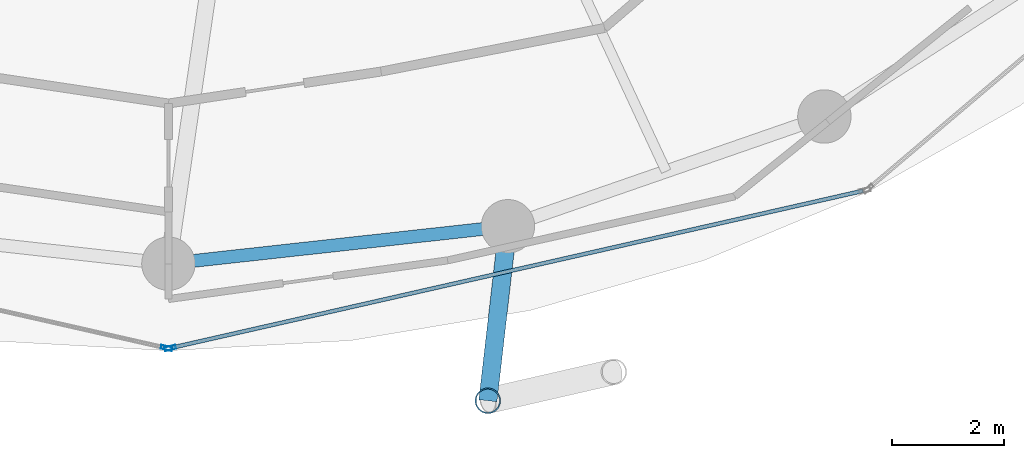
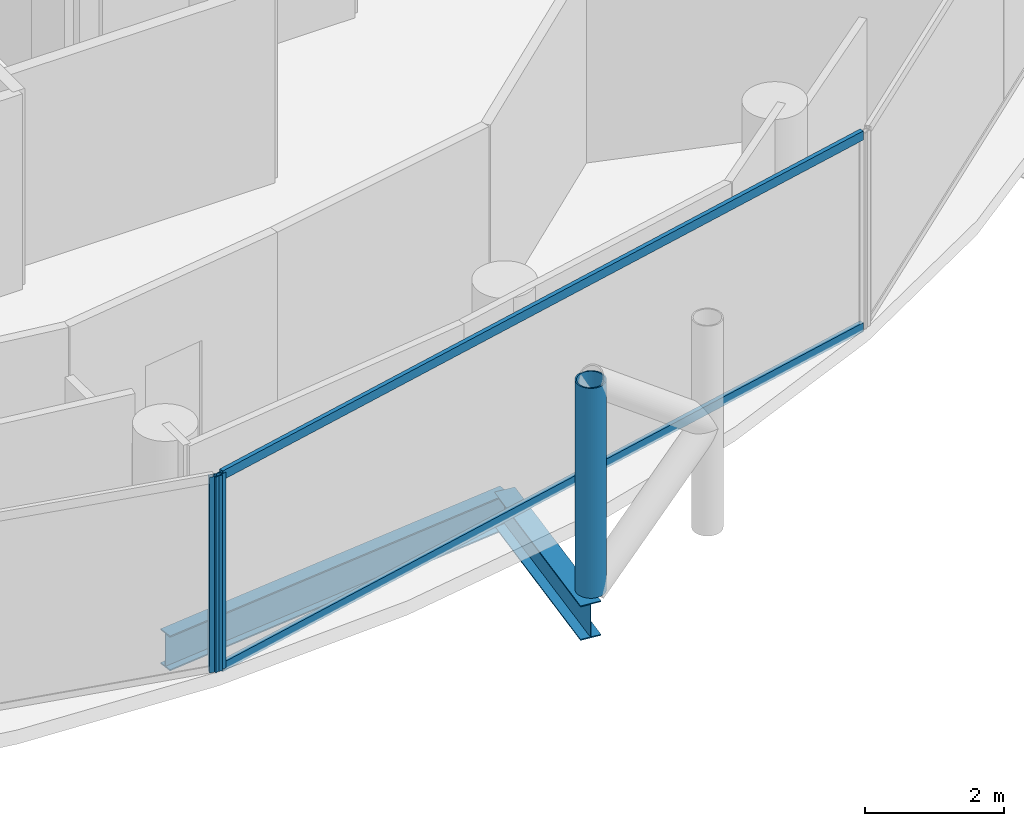
# One storey, part 4 of 26: 5 members, 2 beams, 2 elements without a shape of their own.
"""IFC4 building model written with IfcOpenShell, lengths in metres."""

import ifcopenshell
import ifcopenshell.guid

model = None  # the IFC model being written
_history = None  # IfcOwnerHistory: only IFC2X3 demands one
_inside = {}  # id of a spatial element -> (the spatial element, [elements in it])
_under = {}  # id of a project, library or spatial element -> (it, [spatial elements below it])
_declared = {}  # id of a project -> (the project, [libraries it declares])
_typed = {}  # id of a type object -> (the type object, [elements of that type])
_made_of = {}  # id of a material, layer set ... -> (it, [elements and type objects made of it])


def new_model(schema):
    """Start an empty IFC model of exactly this schema.

    Asked for "IFC4X3", IfcOpenShell would pick the latest addendum, in which some entities
    have other attributes; the version numbers below select the first issue.
    IFC2X3 requires an IfcOwnerHistory on every rooted entity: one is made here for all.
    """
    global model, _history
    if schema == "IFC4X3":
        model = ifcopenshell.file(schema_version=(4, 3, 0, 0))
    else:
        model = ifcopenshell.file(schema=schema)
    _inside.clear()
    _under.clear()
    _declared.clear()
    _typed.clear()
    _made_of.clear()
    _history = None
    if model.schema == "IFC2X3":
        org = make("IfcOrganization", Name="unknown")
        user = make(
            "IfcPersonAndOrganization",
            ThePerson=make("IfcPerson", FamilyName="unknown"),
            TheOrganization=org,
        )
        app = make(
            "IfcApplication",
            ApplicationDeveloper=org,
            Version="unknown",
            ApplicationFullName="unknown",
            ApplicationIdentifier="unknown",
        )
        _history = make(
            "IfcOwnerHistory",
            OwningUser=user,
            OwningApplication=app,
            ChangeAction="ADDED",
            CreationDate=0,
        )
    return model


def make(cls, **values):
    """One entity of the class cls with the attributes given. An attribute that is None is left unset."""
    return model.create_entity(
        cls, **{name: value for name, value in values.items() if value is not None}
    )


def rooted(cls, **values):
    """An entity with a GlobalId (a new one), such as an element, a storey or a relation."""
    return make(cls, GlobalId=ifcopenshell.guid.new(), OwnerHistory=_history, **values)


def si_unit(unit_type, name, prefix=None):
    """IfcSIUnit, for example si_unit("LENGTHUNIT", "METRE", prefix="MILLI")."""
    return make("IfcSIUnit", UnitType=unit_type, Prefix=prefix, Name=name)


def assignment(units):
    """IfcUnitAssignment: the units of a project."""
    return None if units is None else make("IfcUnitAssignment", Units=units)


def point(xyz):
    """IfcCartesianPoint."""
    return None if xyz is None else make("IfcCartesianPoint", Coordinates=xyz)


def direction(xyz):
    """IfcDirection."""
    return None if xyz is None else make("IfcDirection", DirectionRatios=xyz)


def frame(location, z_axis=None, x_axis=None):
    """IfcAxis2Placement3D, a coordinate frame: its origin and axes. An axis left out is left unset."""
    return make(
        "IfcAxis2Placement3D",
        Location=point(location),
        Axis=direction(z_axis),
        RefDirection=direction(x_axis),
    )


def frame_2d(location, x_axis=None):
    """IfcAxis2Placement2D, a coordinate frame in the plane: its origin and x axis."""
    return make(
        "IfcAxis2Placement2D", Location=point(location), RefDirection=direction(x_axis)
    )


def origin():
    """The frame at (0, 0, 0) with its axes left unset."""
    return frame((0.0, 0.0, 0.0))


def origin_2d():
    """The frame at (0, 0) in the plane with its x axis left unset."""
    return frame_2d((0.0, 0.0))


def place(relative_to, where):
    """IfcLocalPlacement: puts the frame where relative to a parent placement (None: the world)."""
    return make(
        "IfcLocalPlacement", PlacementRelTo=relative_to, RelativePlacement=where
    )


def context(
    kind, dimensions, precision=None, world=None, true_north=None, identifier=None
):
    """IfcGeometricRepresentationContext, for example the 3D "Model" context."""
    return make(
        "IfcGeometricRepresentationContext",
        ContextIdentifier=identifier,
        ContextType=kind,
        CoordinateSpaceDimension=dimensions,
        Precision=precision,
        WorldCoordinateSystem=world,
        TrueNorth=true_north,
    )


def subcontext(parent, identifier, kind, view, scale=None):
    """IfcGeometricRepresentationSubContext, for example "Body" below "Model"."""
    return make(
        "IfcGeometricRepresentationSubContext",
        ContextIdentifier=identifier,
        ContextType=kind,
        ParentContext=parent,
        TargetScale=scale,
        TargetView=view,
    )


def project(units=None, contexts=None):
    """IfcProject with its units and contexts."""
    return rooted(
        "IfcProject",
        Name="project",
        RepresentationContexts=contexts,
        UnitsInContext=assignment(units),
    )


def spatial(cls, under=None, at=None, **own):
    """A site, building, storey or space (cls), placed at a placement, below another one or the project."""
    s = rooted(cls, ObjectPlacement=at, **own)
    if under is not None:
        _under.setdefault(under.id(), (under, []))[1].append(s)
    return s


def profile(cls, at=None, kind="AREA", **sizes):
    """A parametric profile (cls). Its sizes go by their IFC names, for example OverallWidth=200.0."""
    return make(cls, ProfileType=kind, Position=at, **sizes)


def hollow_rectangle(**sizes):
    """IfcRectangleHollowProfileDef."""
    return profile("IfcRectangleHollowProfileDef", **sizes)


def hollow_circle(**sizes):
    """IfcCircleHollowProfileDef."""
    return profile("IfcCircleHollowProfileDef", **sizes)


def i_section(**sizes):
    """IfcIShapeProfileDef."""
    return profile("IfcIShapeProfileDef", **sizes)


def extrude(swept, where, along, depth):
    """IfcExtrudedAreaSolid: the profile swept, set in the frame where, extruded along a direction by depth."""
    return make(
        "IfcExtrudedAreaSolid",
        SweptArea=swept,
        Position=where,
        ExtrudedDirection=direction(along),
        Depth=depth,
    )


def shape(context_of_items, identifier, shape_type, items):
    """IfcShapeRepresentation: the items that make up one representation, for example the "Body"."""
    return make(
        "IfcShapeRepresentation",
        ContextOfItems=context_of_items,
        RepresentationIdentifier=identifier,
        RepresentationType=shape_type,
        Items=items,
    )


def material(Name=None, Category=None):
    """IfcMaterial."""
    return make("IfcMaterial", Name=Name, Category=Category)


def layer(
    of_material, thickness, ventilated=None, Name=None, Category=None, Priority=None
):
    """IfcMaterialLayer: one layer of a wall or slab, of a material (None: an air gap)."""
    return make(
        "IfcMaterialLayer",
        Material=of_material,
        LayerThickness=thickness,
        IsVentilated=ventilated,
        Name=Name,
        Category=Category,
        Priority=Priority,
    )


def layer_set(layers, Name=None):
    """IfcMaterialLayerSet."""
    return make("IfcMaterialLayerSet", MaterialLayers=layers, LayerSetName=Name)


def material_profile(
    of_material, cross_section, Name=None, Category=None, Priority=None
):
    """IfcMaterialProfile: a cross section and its material."""
    return make(
        "IfcMaterialProfile",
        Name=Name,
        Material=of_material,
        Profile=cross_section,
        Priority=Priority,
        Category=Category,
    )


def profile_set(profiles, Name=None, composite=None):
    """IfcMaterialProfileSet."""
    return make(
        "IfcMaterialProfileSet",
        Name=Name,
        MaterialProfiles=profiles,
        CompositeProfile=composite,
    )


def made_of(thing, what):
    """Note that an element or type object is made of a material, layer set ...; save() writes the relation."""
    if what is not None:
        _made_of.setdefault(what.id(), (what, []))[1].append(thing)
    return thing


def type_object(cls, material=None, **own):
    """A type object (cls), such as IfcWallType, which elements share."""
    return made_of(rooted(cls, **own), material)


def element(
    cls,
    number,
    at=None,
    inside=None,
    cuts=None,
    type_object=None,
    material=None,
    context=None,
    identifier="Body",
    shape_type=None,
    held_by="IfcProductDefinitionShape",
    body=None,
    shapes=None,
    **own,
):
    """One element of the class cls, such as IfcWall. Its Tag is "e" and its number.

    at: its placement. inside: the storey or other place that contains it. cuts: it is an
    opening in that element (IfcRelVoidsElement). A single representation is given by context,
    identifier, shape_type and body (its items); several are given by shapes. held_by: the class
    of the entity that holds the representations. save() writes the other relations.
    """
    e = rooted(cls, Tag="e%d" % number, ObjectPlacement=at, **own)
    if body is not None:
        shapes = [shape(context, identifier, shape_type, body)]
    if shapes is not None:
        e.Representation = make(held_by, Representations=shapes)
    if inside is not None:
        _inside.setdefault(inside.id(), (inside, []))[1].append(e)
    if cuts is not None:
        rooted(
            "IfcRelVoidsElement", RelatingBuildingElement=cuts, RelatedOpeningElement=e
        )
    if type_object is not None:
        _typed.setdefault(type_object.id(), (type_object, []))[1].append(e)
    return made_of(e, material)


def aggregate(whole, parts):
    """IfcRelAggregates: a whole, such as a stair, and the parts it consists of."""
    return rooted("IfcRelAggregates", RelatingObject=whole, RelatedObjects=parts)


def save(model, path):
    """Write the relations noted so far, then the file.

    IfcRelAggregates (storeys below a building ...), IfcRelContainedInSpatialStructure (elements
    in a storey), IfcRelDefinesByType, IfcRelAssociatesMaterial and IfcRelDeclares: one each for
    every whole, place, type object, material and project.
    """
    for whole, parts in _under.values():
        aggregate(whole, parts)
    for where, things in _inside.values():
        rooted(
            "IfcRelContainedInSpatialStructure",
            RelatedElements=things,
            RelatingStructure=where,
        )
    for kind, things in _typed.values():
        rooted("IfcRelDefinesByType", RelatedObjects=things, RelatingType=kind)
    for what, things in _made_of.values():
        rooted("IfcRelAssociatesMaterial", RelatedObjects=things, RelatingMaterial=what)
    for by, libraries in _declared.values():
        rooted("IfcRelDeclares", RelatingContext=by, RelatedDefinitions=libraries)
    model.write(path)


model = new_model("IFC4")

# Units and contexts
model_context = context("Model", 3, precision=1e-05, world=origin(), true_north=direction((0.0, 1.0)))
body_context = subcontext(model_context, "Body", "Model", "MODEL_VIEW")
ifc_project = project(units=[si_unit("LENGTHUNIT", "METRE"), si_unit("AREAUNIT", "SQUARE_METRE"), si_unit("VOLUMEUNIT", "CUBIC_METRE"), si_unit("PLANEANGLEUNIT", "RADIAN"), si_unit("MASSUNIT", "GRAM", prefix="KILO")], contexts=[model_context])

# Site, building, storey
site_placement = place(None, origin())
site = spatial("IfcSite", under=ifc_project, at=site_placement, CompositionType="ELEMENT")
building_placement = place(site_placement, origin())
building = spatial("IfcBuilding", under=site, at=building_placement, Name="Nuhasar Tower", CompositionType="ELEMENT")
storey_placement = place(building_placement, frame((0.0, 0.0, 188.550048828125)))
storey = spatial("IfcBuildingStorey", under=building, at=storey_placement, Name="L46", CompositionType="ELEMENT", Elevation=188.550048828125)

# Beams
ifc_material_1 = material(Name="Steel S355", Category="steel")
ifc_material_profile_1 = material_profile(ifc_material_1, i_section(OverallWidth=0.22998046875, OverallDepth=0.616943359375, WebThickness=0.01318359375, FlangeThickness=0.022216796875, at=origin_2d()), Name="W24X94")
ifc_profile_set_1 = profile_set([ifc_material_profile_1], Name="Steel S355")
beam_type_1 = type_object("IfcBeamType", Name="BM-RING-W24X94", PredefinedType="SPANDREL", material=ifc_profile_set_1)
beam_1_placement = place(storey_placement, frame((39.0, 7.25, -0.55810546875), z_axis=(0.993981289157, 0.109549974015, 0.0), x_axis=(-0.109549974015, 0.993981289157, 0.0)))
element("IfcBeam", 1, at=beam_1_placement, inside=storey, type_object=beam_type_1, Name="L46 Perimeter Ring Spandrel 19", PredefinedType="SPANDREL", context=body_context, shape_type="SweptSolid", body=[
    extrude(i_section(OverallWidth=0.22998046875, OverallDepth=0.616943359375, WebThickness=0.01318359375, FlangeThickness=0.022216796875, at=origin_2d()), origin(), (0.0, 0.0, 1.0), 6.07958984375),
])
ifc_material_profile_2 = material_profile(ifc_material_1, i_section(OverallWidth=0.323974609375, OverallDepth=0.611083984375, WebThickness=0.0126953125, FlangeThickness=0.01904296875, at=origin_2d()), Name="W24X104")
ifc_profile_set_2 = profile_set([ifc_material_profile_2], Name="Steel S355")
beam_type_2 = type_object("IfcBeamType", Name="BM-TIE-W24X104", PredefinedType="BEAM", material=ifc_profile_set_2)
beam_2_placement = place(storey_placement, frame((45.04296875, 7.916015625, -0.554931640625), z_axis=(-0.114167639647, -0.993461499031, 0.0), x_axis=(0.993461499031, -0.114167639647, 0.0)))
element("IfcBeam", 2, at=beam_2_placement, inside=storey, type_object=beam_type_2, Name="L46 Exoskeleton Node Tie Beam 10", PredefinedType="BEAM", context=body_context, shape_type="SweptSolid", body=[
    extrude(i_section(OverallWidth=0.323974609375, OverallDepth=0.611083984375, WebThickness=0.0126953125, FlangeThickness=0.01904296875, at=origin_2d()), origin(), (0.0, 0.0, 1.0), 3.12646484375),
])

# Curtain wall, member
ifc_material_2 = material(Name="Aluminium 6063-T6", Category="aluminium")
ifc_layer = layer(ifc_material_2, 0.199951171875)
ifc_layer_set = layer_set([ifc_layer], Name="Aluminium 6063-T6")
curtain_wall_type = type_object("IfcCurtainWallType", Name="CW-Z2-HTL", PredefinedType="NOTDEFINED", material=ifc_layer_set)
curtain_wall_1_placement = place(storey_placement, origin())
curtain_wall_1 = element("IfcCurtainWall", 3, at=curtain_wall_1_placement, inside=storey, type_object=curtain_wall_type, Name="L46 Unitised Curtain Wall 09", PredefinedType="NOTDEFINED")
ifc_material_profile_3 = material_profile(ifc_material_2, hollow_rectangle(XDim=0.070068359375, YDim=0.199951171875, WallThickness=0.0048828125, at=origin_2d()), Name="CWM-3")
ifc_profile_set_3 = profile_set([ifc_material_profile_3], Name="Aluminium 6063-T6")
member_type_1 = type_object("IfcMemberType", Name="CW-MUL-S3", PredefinedType="MULLION", material=ifc_profile_set_3)
member_1_placement = place(storey_placement, frame((38.9658203125, 5.747802734375, 0.0), z_axis=(0.0, 0.0, 1.0), x_axis=(0.22139729566, 0.975183694221, 0.0)))
member_1 = element("IfcMember", 4, at=member_1_placement, type_object=member_type_1, Name="CW-Z2 mullion 2", PredefinedType="MULLION", context=body_context, shape_type="SweptSolid", body=[
    extrude(hollow_rectangle(XDim=0.070068359375, YDim=0.199951171875, WallThickness=0.0048828125, at=origin_2d()), origin(), (0.0, 0.0, 1.0), 3.449951171875),
])
aggregate(curtain_wall_1, [member_1])

# Curtain wall, members
curtain_wall_2_placement = place(storey_placement, origin())
curtain_wall_2 = element("IfcCurtainWall", 5, at=curtain_wall_2_placement, inside=storey, type_object=curtain_wall_type, Name="L46 Unitised Curtain Wall 10", PredefinedType="NOTDEFINED")
member_2_placement = place(storey_placement, frame((39.0341796875, 5.747802734375, 0.0), z_axis=(0.0, 0.0, 1.0), x_axis=(-0.22139729566, 0.975183694221, 0.0)))
member_2 = element("IfcMember", 6, at=member_2_placement, type_object=member_type_1, Name="CW-Z2 mullion 1", PredefinedType="MULLION", context=body_context, shape_type="SweptSolid", body=[
    extrude(hollow_rectangle(XDim=0.070068359375, YDim=0.199951171875, WallThickness=0.0048828125, at=origin_2d()), origin(), (0.0, 0.0, 1.0), 3.449951171875),
])
ifc_material_profile_4 = material_profile(ifc_material_2, hollow_rectangle(XDim=0.070068359375, YDim=0.159912109375, WallThickness=0.00439453125, at=origin_2d()), Name="CWT-3")
ifc_profile_set_4 = profile_set([ifc_material_profile_4], Name="Aluminium 6063-T6")
member_type_2 = type_object("IfcMemberType", Name="CW-TRN-S3", PredefinedType="USERDEFINED", material=ifc_profile_set_4)
member_3_placement = place(storey_placement, frame((39.068359375, 5.755615234375, 0.034912109375), z_axis=(0.975187615691, 0.221380022142, 0.0), x_axis=(-0.221380022142, 0.975187615691, 0.0)))
member_3 = element("IfcMember", 7, at=member_3_placement, type_object=member_type_2, Name="CW-Z2 transom 1.1", ObjectType="TRANSOM", PredefinedType="USERDEFINED", context=body_context, shape_type="SweptSolid", body=[
    extrude(hollow_rectangle(XDim=0.070068359375, YDim=0.159912109375, WallThickness=0.00439453125, at=origin_2d()), origin(), (0.0, 0.0, 1.0), 12.606201171875),
])
member_4_placement = place(storey_placement, frame((39.068359375, 5.755615234375, 3.4150390625), z_axis=(0.975187615691, 0.221380022142, 0.0), x_axis=(-0.221380022142, 0.975187615691, 0.0)))
member_4 = element("IfcMember", 8, at=member_4_placement, type_object=member_type_2, Name="CW-Z2 transom 1.2", ObjectType="TRANSOM", PredefinedType="USERDEFINED", context=body_context, shape_type="SweptSolid", body=[
    extrude(hollow_rectangle(XDim=0.070068359375, YDim=0.159912109375, WallThickness=0.00439453125, at=origin_2d()), origin(), (0.0, 0.0, 1.0), 12.606201171875),
])
aggregate(curtain_wall_2, [member_2, member_3, member_4])

# Member
ifc_material_3 = material(Name="Steel S460", Category="steel")
ifc_material_profile_5 = material_profile(ifc_material_3, hollow_circle(Radius=0.228515625, WallThickness=0.022216796875, at=origin_2d()), Name="HSS457X22.2")
ifc_profile_set_5 = profile_set([ifc_material_profile_5], Name="Steel S460")
member_type_3 = type_object("IfcMemberType", Name="EXO-BRONZE-457", PredefinedType="BRACE", material=ifc_profile_set_5)
member_5_placement = place(storey_placement, frame((44.68603515625, 4.81005859375, 0.0), z_axis=(0.0, 0.0, 1.0), x_axis=(1.0, 0.0, 0.0)))
element("IfcMember", 9, at=member_5_placement, inside=storey, type_object=member_type_3, Name="L46 Exoskeleton Chord Column EC-10A", PredefinedType="BRACE", context=body_context, shape_type="SweptSolid", body=[
    extrude(hollow_circle(Radius=0.228515625, WallThickness=0.022216796875, at=origin_2d()), origin(), (0.0, 0.0, 1.0), 3.699951171875),
])

save(model, "model.ifc")
